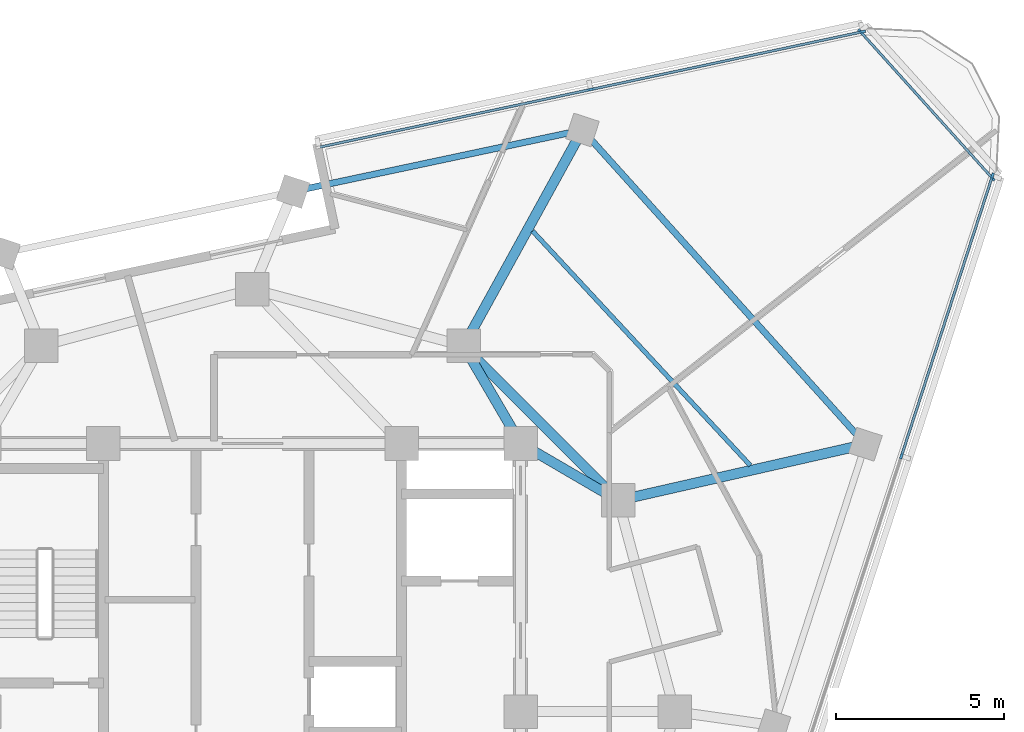
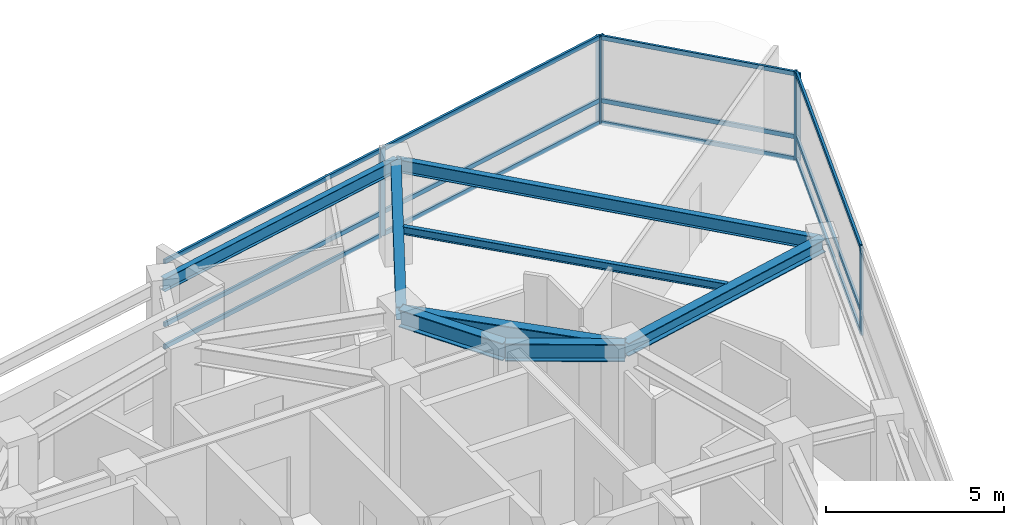
# One storey, part 6 of 15: 18 members, 8 beams, 3 elements without a shape of their own.
"""IFC4 building model written with IfcOpenShell, lengths in metres."""

import ifcopenshell
import ifcopenshell.guid

model = None  # the IFC model being written
_history = None  # IfcOwnerHistory: only IFC2X3 demands one
_inside = {}  # id of a spatial element -> (the spatial element, [elements in it])
_under = {}  # id of a project, library or spatial element -> (it, [spatial elements below it])
_declared = {}  # id of a project -> (the project, [libraries it declares])
_typed = {}  # id of a type object -> (the type object, [elements of that type])
_made_of = {}  # id of a material, layer set ... -> (it, [elements and type objects made of it])


def new_model(schema):
    """Start an empty IFC model of exactly this schema.

    Asked for "IFC4X3", IfcOpenShell would pick the latest addendum, in which some entities
    have other attributes; the version numbers below select the first issue.
    IFC2X3 requires an IfcOwnerHistory on every rooted entity: one is made here for all.
    """
    global model, _history
    if schema == "IFC4X3":
        model = ifcopenshell.file(schema_version=(4, 3, 0, 0))
    else:
        model = ifcopenshell.file(schema=schema)
    _inside.clear()
    _under.clear()
    _declared.clear()
    _typed.clear()
    _made_of.clear()
    _history = None
    if model.schema == "IFC2X3":
        org = make("IfcOrganization", Name="unknown")
        user = make(
            "IfcPersonAndOrganization",
            ThePerson=make("IfcPerson", FamilyName="unknown"),
            TheOrganization=org,
        )
        app = make(
            "IfcApplication",
            ApplicationDeveloper=org,
            Version="unknown",
            ApplicationFullName="unknown",
            ApplicationIdentifier="unknown",
        )
        _history = make(
            "IfcOwnerHistory",
            OwningUser=user,
            OwningApplication=app,
            ChangeAction="ADDED",
            CreationDate=0,
        )
    return model


def make(cls, **values):
    """One entity of the class cls with the attributes given. An attribute that is None is left unset."""
    return model.create_entity(
        cls, **{name: value for name, value in values.items() if value is not None}
    )


def rooted(cls, **values):
    """An entity with a GlobalId (a new one), such as an element, a storey or a relation."""
    return make(cls, GlobalId=ifcopenshell.guid.new(), OwnerHistory=_history, **values)


def si_unit(unit_type, name, prefix=None):
    """IfcSIUnit, for example si_unit("LENGTHUNIT", "METRE", prefix="MILLI")."""
    return make("IfcSIUnit", UnitType=unit_type, Prefix=prefix, Name=name)


def assignment(units):
    """IfcUnitAssignment: the units of a project."""
    return None if units is None else make("IfcUnitAssignment", Units=units)


def point(xyz):
    """IfcCartesianPoint."""
    return None if xyz is None else make("IfcCartesianPoint", Coordinates=xyz)


def direction(xyz):
    """IfcDirection."""
    return None if xyz is None else make("IfcDirection", DirectionRatios=xyz)


def frame(location, z_axis=None, x_axis=None):
    """IfcAxis2Placement3D, a coordinate frame: its origin and axes. An axis left out is left unset."""
    return make(
        "IfcAxis2Placement3D",
        Location=point(location),
        Axis=direction(z_axis),
        RefDirection=direction(x_axis),
    )


def frame_2d(location, x_axis=None):
    """IfcAxis2Placement2D, a coordinate frame in the plane: its origin and x axis."""
    return make(
        "IfcAxis2Placement2D", Location=point(location), RefDirection=direction(x_axis)
    )


def origin():
    """The frame at (0, 0, 0) with its axes left unset."""
    return frame((0.0, 0.0, 0.0))


def origin_2d():
    """The frame at (0, 0) in the plane with its x axis left unset."""
    return frame_2d((0.0, 0.0))


def place(relative_to, where):
    """IfcLocalPlacement: puts the frame where relative to a parent placement (None: the world)."""
    return make(
        "IfcLocalPlacement", PlacementRelTo=relative_to, RelativePlacement=where
    )


def context(
    kind, dimensions, precision=None, world=None, true_north=None, identifier=None
):
    """IfcGeometricRepresentationContext, for example the 3D "Model" context."""
    return make(
        "IfcGeometricRepresentationContext",
        ContextIdentifier=identifier,
        ContextType=kind,
        CoordinateSpaceDimension=dimensions,
        Precision=precision,
        WorldCoordinateSystem=world,
        TrueNorth=true_north,
    )


def subcontext(parent, identifier, kind, view, scale=None):
    """IfcGeometricRepresentationSubContext, for example "Body" below "Model"."""
    return make(
        "IfcGeometricRepresentationSubContext",
        ContextIdentifier=identifier,
        ContextType=kind,
        ParentContext=parent,
        TargetScale=scale,
        TargetView=view,
    )


def project(units=None, contexts=None):
    """IfcProject with its units and contexts."""
    return rooted(
        "IfcProject",
        Name="project",
        RepresentationContexts=contexts,
        UnitsInContext=assignment(units),
    )


def spatial(cls, under=None, at=None, **own):
    """A site, building, storey or space (cls), placed at a placement, below another one or the project."""
    s = rooted(cls, ObjectPlacement=at, **own)
    if under is not None:
        _under.setdefault(under.id(), (under, []))[1].append(s)
    return s


def profile(cls, at=None, kind="AREA", **sizes):
    """A parametric profile (cls). Its sizes go by their IFC names, for example OverallWidth=200.0."""
    return make(cls, ProfileType=kind, Position=at, **sizes)


def rectangle(**sizes):
    """IfcRectangleProfileDef."""
    return profile("IfcRectangleProfileDef", **sizes)


def i_section(**sizes):
    """IfcIShapeProfileDef."""
    return profile("IfcIShapeProfileDef", **sizes)


def extrude(swept, where, along, depth):
    """IfcExtrudedAreaSolid: the profile swept, set in the frame where, extruded along a direction by depth."""
    return make(
        "IfcExtrudedAreaSolid",
        SweptArea=swept,
        Position=where,
        ExtrudedDirection=direction(along),
        Depth=depth,
    )


def shape(context_of_items, identifier, shape_type, items):
    """IfcShapeRepresentation: the items that make up one representation, for example the "Body"."""
    return make(
        "IfcShapeRepresentation",
        ContextOfItems=context_of_items,
        RepresentationIdentifier=identifier,
        RepresentationType=shape_type,
        Items=items,
    )


def material(Name=None, Category=None):
    """IfcMaterial."""
    return make("IfcMaterial", Name=Name, Category=Category)


def layer(
    of_material, thickness, ventilated=None, Name=None, Category=None, Priority=None
):
    """IfcMaterialLayer: one layer of a wall or slab, of a material (None: an air gap)."""
    return make(
        "IfcMaterialLayer",
        Material=of_material,
        LayerThickness=thickness,
        IsVentilated=ventilated,
        Name=Name,
        Category=Category,
        Priority=Priority,
    )


def layer_set(layers, Name=None):
    """IfcMaterialLayerSet."""
    return make("IfcMaterialLayerSet", MaterialLayers=layers, LayerSetName=Name)


def material_profile(
    of_material, cross_section, Name=None, Category=None, Priority=None
):
    """IfcMaterialProfile: a cross section and its material."""
    return make(
        "IfcMaterialProfile",
        Name=Name,
        Material=of_material,
        Profile=cross_section,
        Priority=Priority,
        Category=Category,
    )


def profile_set(profiles, Name=None, composite=None):
    """IfcMaterialProfileSet."""
    return make(
        "IfcMaterialProfileSet",
        Name=Name,
        MaterialProfiles=profiles,
        CompositeProfile=composite,
    )


def made_of(thing, what):
    """Note that an element or type object is made of a material, layer set ...; save() writes the relation."""
    if what is not None:
        _made_of.setdefault(what.id(), (what, []))[1].append(thing)
    return thing


def type_object(cls, material=None, **own):
    """A type object (cls), such as IfcWallType, which elements share."""
    return made_of(rooted(cls, **own), material)


def element(
    cls,
    number,
    at=None,
    inside=None,
    cuts=None,
    type_object=None,
    material=None,
    context=None,
    identifier="Body",
    shape_type=None,
    held_by="IfcProductDefinitionShape",
    body=None,
    shapes=None,
    **own,
):
    """One element of the class cls, such as IfcWall. Its Tag is "e" and its number.

    at: its placement. inside: the storey or other place that contains it. cuts: it is an
    opening in that element (IfcRelVoidsElement). A single representation is given by context,
    identifier, shape_type and body (its items); several are given by shapes. held_by: the class
    of the entity that holds the representations. save() writes the other relations.
    """
    e = rooted(cls, Tag="e%d" % number, ObjectPlacement=at, **own)
    if body is not None:
        shapes = [shape(context, identifier, shape_type, body)]
    if shapes is not None:
        e.Representation = make(held_by, Representations=shapes)
    if inside is not None:
        _inside.setdefault(inside.id(), (inside, []))[1].append(e)
    if cuts is not None:
        rooted(
            "IfcRelVoidsElement", RelatingBuildingElement=cuts, RelatedOpeningElement=e
        )
    if type_object is not None:
        _typed.setdefault(type_object.id(), (type_object, []))[1].append(e)
    return made_of(e, material)


def aggregate(whole, parts):
    """IfcRelAggregates: a whole, such as a stair, and the parts it consists of."""
    return rooted("IfcRelAggregates", RelatingObject=whole, RelatedObjects=parts)


def save(model, path):
    """Write the relations noted so far, then the file.

    IfcRelAggregates (storeys below a building ...), IfcRelContainedInSpatialStructure (elements
    in a storey), IfcRelDefinesByType, IfcRelAssociatesMaterial and IfcRelDeclares: one each for
    every whole, place, type object, material and project.
    """
    for whole, parts in _under.values():
        aggregate(whole, parts)
    for where, things in _inside.values():
        rooted(
            "IfcRelContainedInSpatialStructure",
            RelatedElements=things,
            RelatingStructure=where,
        )
    for kind, things in _typed.values():
        rooted("IfcRelDefinesByType", RelatedObjects=things, RelatingType=kind)
    for what, things in _made_of.values():
        rooted("IfcRelAssociatesMaterial", RelatedObjects=things, RelatingMaterial=what)
    for by, libraries in _declared.values():
        rooted("IfcRelDeclares", RelatingContext=by, RelatedDefinitions=libraries)
    model.write(path)


model = new_model("IFC4")

# Units and contexts
model_context = context("Model", 3, precision=1e-05, world=origin(), true_north=direction((0.0, 1.0)))
body_context = subcontext(model_context, "Body", "Model", "MODEL_VIEW")
ifc_project = project(units=[si_unit("LENGTHUNIT", "METRE"), si_unit("AREAUNIT", "SQUARE_METRE"), si_unit("VOLUMEUNIT", "CUBIC_METRE"), si_unit("PLANEANGLEUNIT", "RADIAN"), si_unit("MASSUNIT", "GRAM", prefix="KILO")], contexts=[model_context])

# Site, building, storey
site_placement = place(None, origin())
site = spatial("IfcSite", under=ifc_project, at=site_placement, CompositionType="ELEMENT")
building_placement = place(site_placement, origin())
building = spatial("IfcBuilding", under=site, at=building_placement, Name="Terralouvre Media Tower", CompositionType="ELEMENT")
storey_placement = place(building_placement, frame((0.0, 0.0, 298.0)))
storey = spatial("IfcBuildingStorey", under=building, at=storey_placement, Name="L77", CompositionType="ELEMENT", Elevation=298.0)

# Beam
ifc_material_1 = material(Name="Structural steel S355J2", Category="steel")
ifc_material_profile_1 = material_profile(ifc_material_1, i_section(OverallWidth=0.135009765625, OverallDepth=0.27001953125, WebThickness=0.006591796875, FlangeThickness=0.01025390625, at=origin_2d()), Name="IPE 270")
ifc_profile_set_1 = profile_set([ifc_material_profile_1], Name="Structural steel S355J2")
beam_type_1 = type_object("IfcBeamType", Name="Composite Floor Joist J-IPE270 (IPE 270)", PredefinedType="JOIST", material=ifc_profile_set_1)
beam_1_placement = place(storey_placement, frame((14.85107421875, 7.34716796875, 3.364990234375), z_axis=(-0.680613949102, 0.732642240311, 0.0), x_axis=(-0.732642240311, -0.680613949102, 0.0)))
element("IfcBeam", 1, at=beam_1_placement, inside=storey, type_object=beam_type_1, Name="L77 Framing Beam JT-L77-04", PredefinedType="JOIST", context=body_context, shape_type="SweptSolid", body=[
    extrude(i_section(OverallWidth=0.135009765625, OverallDepth=0.27001953125, WebThickness=0.006591796875, FlangeThickness=0.01025390625, at=origin_2d()), origin(), (0.0, 0.0, 1.0), 9.54443359375),
])

# Curtain wall, members
ifc_material_2 = material(Name="Low-iron laminated double glazing with solar-control coating", Category="glass")
ifc_layer_1 = layer(ifc_material_2, 0.1650390625, Name="Faceted Glass-Point Crown Curtain Wall CW-06")
ifc_layer_set_1 = layer_set([ifc_layer_1], Name="Low-iron laminated double glazing with solar-control coating")
curtain_wall_type_1 = type_object("IfcCurtainWallType", Name="Faceted Glass-Point Crown Curtain Wall CW-06", PredefinedType="NOTDEFINED", material=ifc_layer_set_1)
curtain_wall_1_placement = place(storey_placement, origin())
curtain_wall_1 = element("IfcCurtainWall", 2, at=curtain_wall_1_placement, inside=storey, type_object=curtain_wall_type_1, Name="L77 Facade Curtain Wall F0", PredefinedType="NOTDEFINED")
ifc_material_3 = material(Name="Anodised extruded aluminium 6063-T6", Category="aluminium")
ifc_material_profile_2 = material_profile(ifc_material_3, rectangle(XDim=0.074951171875, YDim=0.14990234375, at=origin_2d()), Name="ALU 75x150")
ifc_profile_set_2 = profile_set([ifc_material_profile_2], Name="Anodised extruded aluminium 6063-T6")
member_type_1 = type_object("IfcMemberType", Name="Curtain-Wall Horizontal Transom TR-150", PredefinedType="USERDEFINED", material=ifc_profile_set_2)
member_1_placement = place(storey_placement, frame((19.372314453125, 7.662109375, 0.03759765625), z_axis=(0.309004958377, 0.951060426944, 0.0), x_axis=(-0.951060426944, 0.309004958377, 0.0)))
member_1 = element("IfcMember", 3, at=member_1_placement, type_object=member_type_1, Name="CW-06 transom 5.1", ObjectType="TRANSOM", PredefinedType="USERDEFINED", context=body_context, shape_type="SweptSolid", body=[
    extrude(rectangle(XDim=0.074951171875, YDim=0.14990234375, at=origin_2d()), origin(), (0.0, 0.0, 1.0), 8.71142578125),
])
member_2_placement = place(storey_placement, frame((19.372314453125, 7.662109375, 0.800048828125), z_axis=(0.309004958377, 0.951060426944, 0.0), x_axis=(-0.951060426944, 0.309004958377, 0.0)))
member_2 = element("IfcMember", 4, at=member_2_placement, type_object=member_type_1, Name="CW-06 transom 5.2", ObjectType="TRANSOM", PredefinedType="USERDEFINED", context=body_context, shape_type="SweptSolid", body=[
    extrude(rectangle(XDim=0.074951171875, YDim=0.14990234375, at=origin_2d()), origin(), (0.0, 0.0, 1.0), 8.71142578125),
])
member_3_placement = place(storey_placement, frame((19.372314453125, 7.662109375, 2.96240234375), z_axis=(0.309004958377, 0.951060426944, 0.0), x_axis=(-0.951060426944, 0.309004958377, 0.0)))
member_3 = element("IfcMember", 5, at=member_3_placement, type_object=member_type_1, Name="CW-06 transom 5.3", ObjectType="TRANSOM", PredefinedType="USERDEFINED", context=body_context, shape_type="SweptSolid", body=[
    extrude(rectangle(XDim=0.074951171875, YDim=0.14990234375, at=origin_2d()), origin(), (0.0, 0.0, 1.0), 8.71142578125),
])

curtain_wall_2_placement = place(storey_placement, origin())
curtain_wall_2 = element("IfcCurtainWall", 6, at=curtain_wall_2_placement, inside=storey, type_object=curtain_wall_type_1, Name="L77 Left Flank Curtain Wall F1", PredefinedType="NOTDEFINED")
member_4_placement = place(storey_placement, frame((18.166259765625, 20.2763671875, 0.03759765625), z_axis=(-0.978147598799, -0.207911699918, 0.0), x_axis=(0.207911699918, -0.978147598799, 0.0)))
member_4 = element("IfcMember", 7, at=member_4_placement, type_object=member_type_1, Name="CW-06 transom 1.1", ObjectType="TRANSOM", PredefinedType="USERDEFINED", context=body_context, shape_type="SweptSolid", body=[
    extrude(rectangle(XDim=0.074951171875, YDim=0.14990234375, at=origin_2d()), origin(), (0.0, 0.0, 1.0), 8.217529296875),
])
member_5_placement = place(storey_placement, frame((18.166259765625, 20.2763671875, 0.800048828125), z_axis=(-0.978147598799, -0.207911699918, 0.0), x_axis=(0.207911699918, -0.978147598799, 0.0)))
member_5 = element("IfcMember", 8, at=member_5_placement, type_object=member_type_1, Name="CW-06 transom 1.2", ObjectType="TRANSOM", PredefinedType="USERDEFINED", context=body_context, shape_type="SweptSolid", body=[
    extrude(rectangle(XDim=0.074951171875, YDim=0.14990234375, at=origin_2d()), origin(), (0.0, 0.0, 1.0), 8.217529296875),
])
member_6_placement = place(storey_placement, frame((18.166259765625, 20.2763671875, 2.96240234375), z_axis=(-0.978147598799, -0.207911699918, 0.0), x_axis=(0.207911699918, -0.978147598799, 0.0)))
member_6 = element("IfcMember", 9, at=member_6_placement, type_object=member_type_1, Name="CW-06 transom 1.3", ObjectType="TRANSOM", PredefinedType="USERDEFINED", context=body_context, shape_type="SweptSolid", body=[
    extrude(rectangle(XDim=0.074951171875, YDim=0.14990234375, at=origin_2d()), origin(), (0.0, 0.0, 1.0), 8.217529296875),
])
member_7_placement = place(storey_placement, frame((10.054931640625, 18.55224609375, 0.03759765625), z_axis=(-0.978147598799, -0.207911699918, 0.0), x_axis=(0.207911699918, -0.978147598799, 0.0)))
member_7 = element("IfcMember", 10, at=member_7_placement, type_object=member_type_1, Name="CW-06 transom 2.1", ObjectType="TRANSOM", PredefinedType="USERDEFINED", context=body_context, shape_type="SweptSolid", body=[
    extrude(rectangle(XDim=0.074951171875, YDim=0.14990234375, at=origin_2d()), origin(), (0.0, 0.0, 1.0), 8.217529296875),
])
member_8_placement = place(storey_placement, frame((10.054931640625, 18.55224609375, 0.800048828125), z_axis=(-0.978147598799, -0.207911699918, 0.0), x_axis=(0.207911699918, -0.978147598799, 0.0)))
member_8 = element("IfcMember", 11, at=member_8_placement, type_object=member_type_1, Name="CW-06 transom 2.2", ObjectType="TRANSOM", PredefinedType="USERDEFINED", context=body_context, shape_type="SweptSolid", body=[
    extrude(rectangle(XDim=0.074951171875, YDim=0.14990234375, at=origin_2d()), origin(), (0.0, 0.0, 1.0), 8.217529296875),
])
member_9_placement = place(storey_placement, frame((10.054931640625, 18.55224609375, 2.96240234375), z_axis=(-0.978147598799, -0.207911699918, 0.0), x_axis=(0.207911699918, -0.978147598799, 0.0)))
member_9 = element("IfcMember", 12, at=member_9_placement, type_object=member_type_1, Name="CW-06 transom 2.3", ObjectType="TRANSOM", PredefinedType="USERDEFINED", context=body_context, shape_type="SweptSolid", body=[
    extrude(rectangle(XDim=0.074951171875, YDim=0.14990234375, at=origin_2d()), origin(), (0.0, 0.0, 1.0), 8.217529296875),
])

ifc_material_4 = material(Name="Low-iron laminated double glazing with solar-control coating", Category="glass")
ifc_layer_2 = layer(ifc_material_4, 0.1650390625, Name="Rounded Wind-Corner Curved Glazing CW-04")
ifc_layer_set_2 = layer_set([ifc_layer_2], Name="Low-iron laminated double glazing with solar-control coating")
curtain_wall_type_2 = type_object("IfcCurtainWallType", Name="Rounded Wind-Corner Curved Glazing CW-04", PredefinedType="NOTDEFINED", material=ifc_layer_set_2)
curtain_wall_3_placement = place(storey_placement, origin())
curtain_wall_3 = element("IfcCurtainWall", 13, at=curtain_wall_3_placement, inside=storey, type_object=curtain_wall_type_2, Name="L77 Rounded Wind-Corner Curtain Wall C1", PredefinedType="NOTDEFINED")
member_10_placement = place(storey_placement, frame((22.04736328125, 15.943603515625, 0.03759765625), z_axis=(-0.669127275147, 0.743147824901, 0.0), x_axis=(-0.743147824901, -0.669127275147, 0.0)))
member_10 = element("IfcMember", 14, at=member_10_placement, type_object=member_type_1, Name="CW-04 transom 1.1", ObjectType="TRANSOM", PredefinedType="USERDEFINED", context=body_context, shape_type="SweptSolid", body=[
    extrude(rectangle(XDim=0.074951171875, YDim=0.14990234375, at=origin_2d()), origin(), (0.0, 0.0, 1.0), 5.808349609375),
])
member_11_placement = place(storey_placement, frame((22.04736328125, 15.943603515625, 0.800048828125), z_axis=(-0.669127275147, 0.743147824901, 0.0), x_axis=(-0.743147824901, -0.669127275147, 0.0)))
member_11 = element("IfcMember", 15, at=member_11_placement, type_object=member_type_1, Name="CW-04 transom 1.2", ObjectType="TRANSOM", PredefinedType="USERDEFINED", context=body_context, shape_type="SweptSolid", body=[
    extrude(rectangle(XDim=0.074951171875, YDim=0.14990234375, at=origin_2d()), origin(), (0.0, 0.0, 1.0), 5.808349609375),
])
member_12_placement = place(storey_placement, frame((22.04736328125, 15.943603515625, 2.96240234375), z_axis=(-0.669127275147, 0.743147824901, 0.0), x_axis=(-0.743147824901, -0.669127275147, 0.0)))
member_12 = element("IfcMember", 16, at=member_12_placement, type_object=member_type_1, Name="CW-04 transom 1.3", ObjectType="TRANSOM", PredefinedType="USERDEFINED", context=body_context, shape_type="SweptSolid", body=[
    extrude(rectangle(XDim=0.074951171875, YDim=0.14990234375, at=origin_2d()), origin(), (0.0, 0.0, 1.0), 5.808349609375),
])

# Member
ifc_material_5 = material(Name="Anodised extruded aluminium 6063-T6", Category="aluminium")
ifc_material_profile_3 = material_profile(ifc_material_5, rectangle(XDim=0.074951171875, YDim=0.179931640625, at=origin_2d()), Name="ALU 75x180")
ifc_profile_set_3 = profile_set([ifc_material_profile_3], Name="Anodised extruded aluminium 6063-T6")
member_type_2 = type_object("IfcMemberType", Name="Curtain-Wall Vertical Mullion ML-180", PredefinedType="MULLION", material=ifc_profile_set_3)
member_13_placement = place(storey_placement, frame((19.360595703125, 7.62646484375, 0.0), z_axis=(0.0, 0.0, 1.0), x_axis=(-0.951056507337, 0.309017021946, 0.0)))
member_13 = element("IfcMember", 17, at=member_13_placement, type_object=member_type_2, Name="CW-06 mullion 5", PredefinedType="MULLION", context=body_context, shape_type="SweptSolid", body=[
    extrude(rectangle(XDim=0.074951171875, YDim=0.179931640625, at=origin_2d()), origin(), (0.0, 0.0, 1.0), 3.0),
])

member_14_placement = place(storey_placement, frame((22.075927734375, 15.98291015625, 0.0), z_axis=(0.0, 0.0, 1.0), x_axis=(-0.951056507337, 0.309017021946, 0.0)))
member_14 = element("IfcMember", 18, at=member_14_placement, type_object=member_type_2, Name="CW-06 mullion 6", PredefinedType="MULLION", context=body_context, shape_type="SweptSolid", body=[
    extrude(rectangle(XDim=0.074951171875, YDim=0.179931640625, at=origin_2d()), origin(), (0.0, 0.0, 1.0), 3.0),
])

aggregate(curtain_wall_1, [member_13, member_14, member_1, member_2, member_3])

member_15_placement = place(storey_placement, frame((18.202880859375, 20.2841796875, 0.0), z_axis=(0.0, 0.0, 1.0), x_axis=(0.207911749648, -0.978147588229, 0.0)))
member_15 = element("IfcMember", 19, at=member_15_placement, type_object=member_type_2, Name="CW-06 mullion 1", PredefinedType="MULLION", context=body_context, shape_type="SweptSolid", body=[
    extrude(rectangle(XDim=0.074951171875, YDim=0.179931640625, at=origin_2d()), origin(), (0.0, 0.0, 1.0), 3.0),
])

member_16_placement = place(storey_placement, frame((10.091552734375, 18.56005859375, 0.0), z_axis=(0.0, 0.0, 1.0), x_axis=(0.207911749648, -0.978147588229, 0.0)))
member_16 = element("IfcMember", 20, at=member_16_placement, type_object=member_type_2, Name="CW-06 mullion 2", PredefinedType="MULLION", context=body_context, shape_type="SweptSolid", body=[
    extrude(rectangle(XDim=0.074951171875, YDim=0.179931640625, at=origin_2d()), origin(), (0.0, 0.0, 1.0), 3.0),
])

aggregate(curtain_wall_2, [member_15, member_16, member_4, member_5, member_6, member_7, member_8, member_9])

member_17_placement = place(storey_placement, frame((22.072509765625, 15.915771484375, 0.0), z_axis=(0.0, 0.0, 1.0), x_axis=(-0.743145163279, -0.669130231192, 0.0)))
member_17 = element("IfcMember", 21, at=member_17_placement, type_object=member_type_2, Name="CW-04 mullion 1", PredefinedType="MULLION", context=body_context, shape_type="SweptSolid", body=[
    extrude(rectangle(XDim=0.074951171875, YDim=0.179931640625, at=origin_2d()), origin(), (0.0, 0.0, 1.0), 3.0),
])

member_18_placement = place(storey_placement, frame((18.1357421875, 20.287841796875, 0.0), z_axis=(0.0, 0.0, 1.0), x_axis=(-0.743145163279, -0.669130231192, 0.0)))
member_18 = element("IfcMember", 22, at=member_18_placement, type_object=member_type_2, Name="CW-04 mullion 2", PredefinedType="MULLION", context=body_context, shape_type="SweptSolid", body=[
    extrude(rectangle(XDim=0.074951171875, YDim=0.179931640625, at=origin_2d()), origin(), (0.0, 0.0, 1.0), 3.0),
])

aggregate(curtain_wall_3, [member_17, member_18, member_10, member_11, member_12])

# Beams
ifc_material_6 = material(Name="Structural steel S355J2", Category="steel")
ifc_material_profile_4 = material_profile(ifc_material_6, i_section(OverallWidth=0.18994140625, OverallDepth=0.449951171875, WebThickness=0.009521484375, FlangeThickness=0.0146484375, at=origin_2d()), Name="IPE 450")
ifc_profile_set_4 = profile_set([ifc_material_profile_4], Name="Structural steel S355J2")
beam_type_2 = type_object("IfcBeamType", Name="Perimeter Spandrel Beam SPB-450 (IPE 450)", PredefinedType="SPANDREL", material=ifc_profile_set_4)
beam_2_placement = place(storey_placement, frame((18.285888671875, 7.975830078125, 3.27490234375), z_axis=(-0.669130421256, 0.743144992144, 0.0), x_axis=(-0.743144992144, -0.669130421256, 0.0)))
element("IfcBeam", 23, at=beam_2_placement, inside=storey, type_object=beam_type_2, Name="L77 Framing Beam BM-L77-PR08", PredefinedType="SPANDREL", context=body_context, shape_type="SweptSolid", body=[
    extrude(i_section(OverallWidth=0.18994140625, OverallDepth=0.449951171875, WebThickness=0.009521484375, FlangeThickness=0.0146484375, at=origin_2d()), origin(), (0.0, 0.0, 1.0), 12.616943359375),
])
beam_3_placement = place(storey_placement, frame((9.843505859375, 17.35205078125, 3.27490234375), z_axis=(-0.978151678083, -0.207892507471, 0.0), x_axis=(0.207892507471, -0.978151678083, 0.0)))
element("IfcBeam", 24, at=beam_3_placement, inside=storey, type_object=beam_type_2, Name="L77 Framing Beam BM-L77-PR09", PredefinedType="SPANDREL", context=body_context, shape_type="SweptSolid", body=[
    extrude(i_section(OverallWidth=0.18994140625, OverallDepth=0.449951171875, WebThickness=0.009521484375, FlangeThickness=0.0146484375, at=origin_2d()), origin(), (0.0, 0.0, 1.0), 8.82421875),
])
ifc_material_7 = material(Name="Structural steel S355J2", Category="steel")
ifc_material_profile_5 = material_profile(ifc_material_7, i_section(OverallWidth=0.300048828125, OverallDepth=0.449951171875, WebThickness=0.013916015625, FlangeThickness=0.02587890625, at=origin_2d()), Name="HEB 450")
ifc_profile_set_5 = profile_set([ifc_material_profile_5], Name="Structural steel S355J2")
beam_type_3 = type_object("IfcBeamType", Name="Primary Floor Girder B-HEB450 (HEB 450)", PredefinedType="BEAM", material=ifc_profile_set_5)
beam_4_placement = place(storey_placement, frame((10.911865234375, 6.300048828125, 3.27490234375), z_axis=(0.975136661347, 0.221604358479, 0.0), x_axis=(-0.221604358479, 0.975136661347, 0.0)))
element("IfcBeam", 25, at=beam_4_placement, inside=storey, type_object=beam_type_3, Name="L77 Framing Beam BM-L77-RD08", PredefinedType="BEAM", context=body_context, shape_type="SweptSolid", body=[
    extrude(i_section(OverallWidth=0.300048828125, OverallDepth=0.449951171875, WebThickness=0.013916015625, FlangeThickness=0.02587890625, at=origin_2d()), origin(), (0.0, 0.0, 1.0), 7.56201171875),
])
beam_5_placement = place(storey_placement, frame((6.300048828125, 10.911865234375, 3.27490234375), z_axis=(0.482060267282, 0.876138059159, 0.0), x_axis=(-0.876138059159, 0.482060267282, 0.0)))
element("IfcBeam", 26, at=beam_5_placement, inside=storey, type_object=beam_type_3, Name="L77 Framing Beam BM-L77-RD09", PredefinedType="BEAM", context=body_context, shape_type="SweptSolid", body=[
    extrude(i_section(OverallWidth=0.300048828125, OverallDepth=0.449951171875, WebThickness=0.013916015625, FlangeThickness=0.02587890625, at=origin_2d()), origin(), (0.0, 0.0, 1.0), 7.3505859375),
])
ifc_material_8 = material(Name="Structural steel S460M", Category="steel")
ifc_material_profile_6 = material_profile(ifc_material_8, i_section(OverallWidth=0.300048828125, OverallDepth=0.60009765625, WebThickness=0.015380859375, FlangeThickness=0.030029296875, at=origin_2d()), Name="HEB 600")
ifc_profile_set_6 = profile_set([ifc_material_profile_6], Name="Structural steel S460M")
beam_type_4 = type_object("IfcBeamType", Name="Primary Floor Girder B-HEB600 (HEB 600)", PredefinedType="BEAM", material=ifc_profile_set_6)
beam_6_placement = place(storey_placement, frame((10.911865234375, 6.300048828125, 3.199951171875), z_axis=(-0.707106781187, 0.707106781187, 0.0), x_axis=(-0.707106781187, -0.707106781187, 0.0)))
element("IfcBeam", 27, at=beam_6_placement, inside=storey, type_object=beam_type_4, Name="L77 Framing Beam BM-L77-MR07", PredefinedType="BEAM", context=body_context, shape_type="SweptSolid", body=[
    extrude(i_section(OverallWidth=0.300048828125, OverallDepth=0.60009765625, WebThickness=0.015380859375, FlangeThickness=0.030029296875, at=origin_2d()), origin(), (0.0, 0.0, 1.0), 6.52197265625),
])
for number, where, z_axis, x_axis, name in (
    (28, (8.0, 8.0, 3.199951171875), (0.863602894532, -0.504172629717, 0.0), (0.504172629717, 0.863602894532, 0.0), "L77 Framing Beam BM-L77-CM07"),
    (29, (8.0, 8.0, 3.199951171875), (-0.504172629717, 0.863602894532, 0.0), (-0.863602894532, -0.504172629717, 0.0), "L77 Framing Beam BM-L77-CM08"),
):
    element("IfcBeam", number, at=place(storey_placement, frame(where, z_axis=z_axis, x_axis=x_axis)), inside=storey, type_object=beam_type_4, Name=name, PredefinedType="BEAM", context=body_context, shape_type="SweptSolid", body=[
        extrude(i_section(OverallWidth=0.300048828125, OverallDepth=0.60009765625, WebThickness=0.015380859375, FlangeThickness=0.030029296875, at=origin_2d()), origin(), (0.0, 0.0, 1.0), 3.371826171875),
    ])

save(model, "model.ifc")
